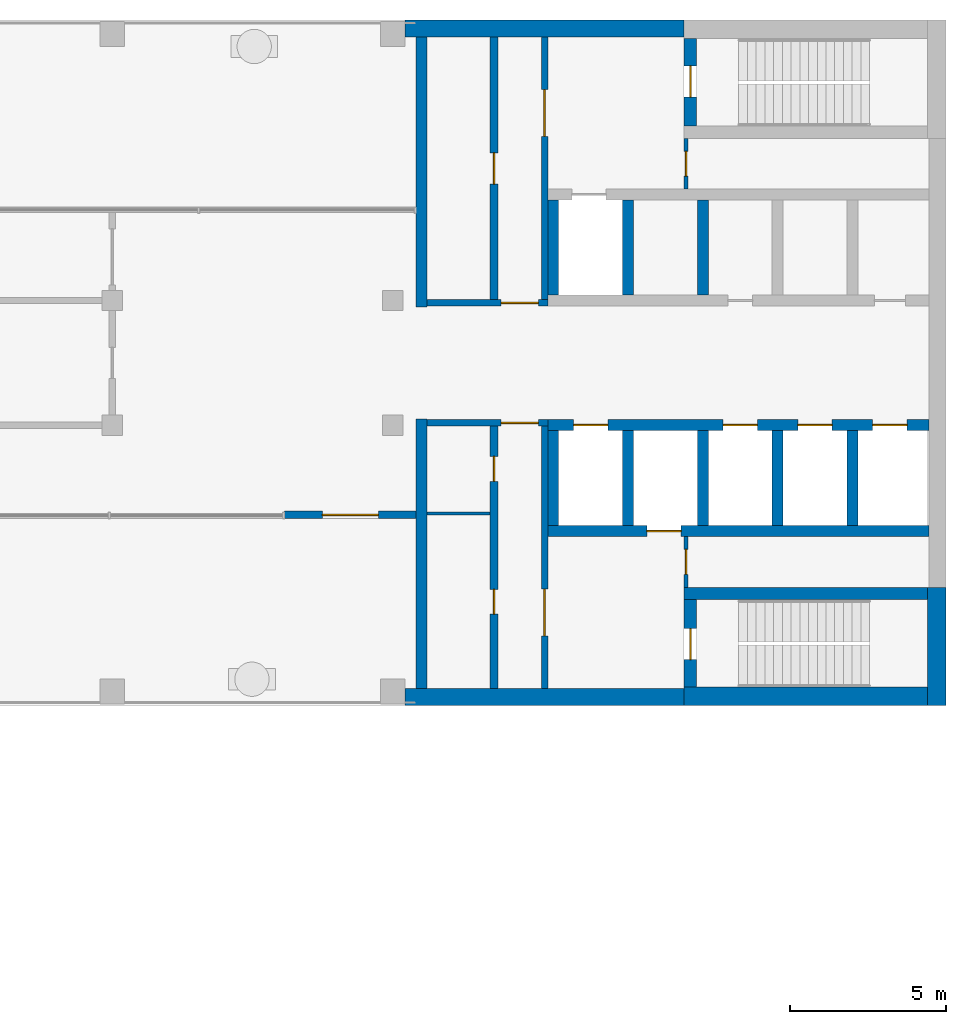
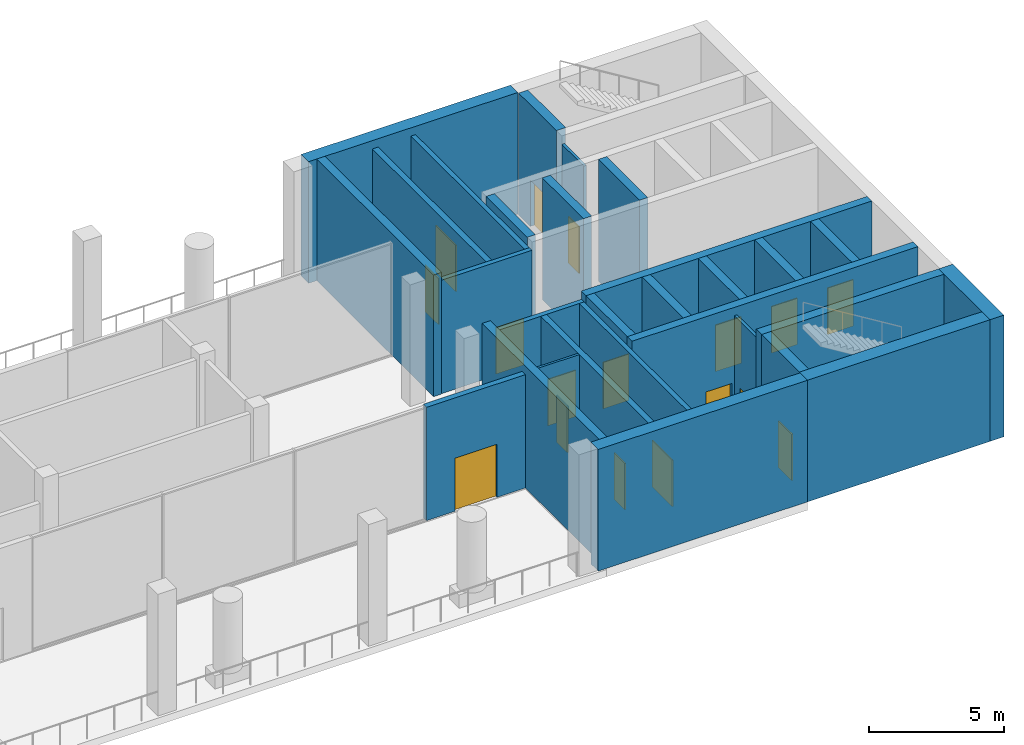
# One storey, part 10 of 17: 29 walls, 17 doors, 17 openings.
"""IFC4 building model written with IfcOpenShell, lengths in metres."""

from ifc_helpers import new_model, si_unit, direction, frame, frame_2d, origin, place, context, subcontext, project, spatial, rectangle, extrude, material, layer, layer_set, type_object, element, fill, save


model = new_model("IFC4")

# Units and contexts
model_context = context("Model", 3, precision=1e-05, world=origin(), true_north=direction((0.0, 1.0)))
body_context = subcontext(model_context, "Body", "Model", "MODEL_VIEW")
ifc_project = project(units=[si_unit("LENGTHUNIT", "METRE"), si_unit("AREAUNIT", "SQUARE_METRE"), si_unit("VOLUMEUNIT", "CUBIC_METRE"), si_unit("PLANEANGLEUNIT", "RADIAN"), si_unit("MASSUNIT", "GRAM", prefix="KILO")], contexts=[model_context])

# Site, building, storey
site_placement = place(None, origin())
site = spatial("IfcSite", under=ifc_project, at=site_placement, CompositionType="ELEMENT")
building_placement = place(site_placement, origin())
building = spatial("IfcBuilding", under=site, at=building_placement, Name="Skarvind Civic Tower", CompositionType="ELEMENT")
storey_placement = place(building_placement, frame((0.0, 0.0, 182.5)))
storey = spatial("IfcBuildingStorey", under=building, at=storey_placement, Name="L43", CompositionType="ELEMENT", Elevation=182.5)

# Wall, opening, door
ifc_material_1 = material(Name="Fire-rated masonry partition", Category="masonry")
ifc_layer_1 = layer(ifc_material_1, 0.199951171875)
ifc_layer_set_1 = layer_set([ifc_layer_1], Name="Core enclosure wall 200")
wall_type_1 = type_object("IfcWallType", Name="Core enclosure wall 200", PredefinedType="PARTITIONING", material=ifc_layer_set_1)
wall_1_placement = place(storey_placement, frame((95.22509765625, 126.074951171875, 0.0), z_axis=(0.0, 0.0, 1.0), x_axis=(-1.0, 0.0, 0.0)))
wall_1 = element("IfcWall", 1, at=wall_1_placement, inside=storey, type_object=wall_type_1, Name="Core wall C1", PredefinedType="PARTITIONING", context=body_context, shape_type="SweptSolid", body=[
    extrude(rectangle(XDim=3.875, YDim=0.199951171875, at=frame_2d((1.9375, 0.0))), origin(), (0.0, 0.0, 1.0), 5.125),
])
opening_1_placement = place(wall_1_placement, frame((0.300048828125, 0.0, 0.0)))
opening_1 = element("IfcOpeningElement", 2, at=opening_1_placement, cuts=wall_1, Name="Opening D-L43-C1-07", PredefinedType="OPENING", context=body_context, shape_type="SweptSolid", body=[
    extrude(rectangle(XDim=1.199951171875, YDim=2.10009765625, at=frame_2d((0.60009765625, 1.050048828125))), frame((0.0, 0.10986328125, 0.0), z_axis=(0.0, -1.0, 0.0), x_axis=(1.0, 0.0, 0.0)), (0.0, 0.0, 1.0), 0.219970703125),
])
ifc_material_2 = material(Name="Fire-rated steel door", Category="steel")
door_type_1 = type_object("IfcDoorType", Name="Core lobby door 1200", OperationType="NOTDEFINED", PredefinedType="DOOR", material=ifc_material_2)
door_1_placement = place(opening_1_placement, origin())
door_1 = element("IfcDoor", 3, at=door_1_placement, inside=storey, type_object=door_type_1, Name="Fire door", OperationType="DOUBLE_DOOR_SINGLE_SWING", OverallHeight=2.10009765625, OverallWidth=1.199951171875, PredefinedType="DOOR", context=body_context, shape_type="SweptSolid", body=[
    extrude(rectangle(XDim=1.199951171875, YDim=2.10009765625, at=frame_2d((0.60009765625, 1.050048828125))), frame((0.0, 0.02490234375, 0.0), z_axis=(0.0, -1.0, 0.0), x_axis=(1.0, 0.0, 0.0)), (0.0, 0.0, 1.0), 0.050048828125),
])
fill(opening_1, door_1)

wall_2_placement = place(storey_placement, frame((95.125, 117.550048828125, 0.0), z_axis=(0.0, 0.0, 1.0), x_axis=(0.0, 1.0, 0.0)))
wall_2 = element("IfcWall", 4, at=wall_2_placement, inside=storey, type_object=wall_type_1, Name="Core wall C1", PredefinedType="PARTITIONING", context=body_context, shape_type="SweptSolid", body=[
    extrude(rectangle(XDim=8.425048828125, YDim=0.199951171875, at=frame_2d((4.21240234375, 0.0))), origin(), (0.0, 0.0, 1.0), 5.125),
])
opening_2_placement = place(wall_2_placement, frame((1.6875, 0.0, 0.0)))
opening_2 = element("IfcOpeningElement", 5, at=opening_2_placement, cuts=wall_2, Name="Opening D-L43-C1-08", PredefinedType="OPENING", context=body_context, shape_type="SweptSolid", body=[
    extrude(rectangle(XDim=1.5, YDim=2.10009765625, at=frame_2d((0.75, 1.050048828125))), frame((0.0, 0.10986328125, 0.0), z_axis=(0.0, -1.0, 0.0), x_axis=(1.0, 0.0, 0.0)), (0.0, 0.0, 1.0), 0.219970703125),
])
door_type_2 = type_object("IfcDoorType", Name="Fire door 1500", OperationType="NOTDEFINED", PredefinedType="DOOR", material=ifc_material_2)
door_2_placement = place(opening_2_placement, origin())
door_2 = element("IfcDoor", 6, at=door_2_placement, inside=storey, type_object=door_type_2, Name="Fire door", OperationType="DOUBLE_DOOR_SINGLE_SWING", OverallHeight=2.10009765625, OverallWidth=1.5, PredefinedType="DOOR", context=body_context, shape_type="SweptSolid", body=[
    extrude(rectangle(XDim=1.5, YDim=2.10009765625, at=frame_2d((0.75, 1.050048828125))), frame((0.0, 0.02490234375, 0.0), z_axis=(0.0, -1.0, 0.0), x_axis=(1.0, 0.0, 0.0)), (0.0, 0.0, 1.0), 0.050048828125),
])
fill(opening_2, door_2)

wall_3_placement = place(storey_placement, frame((91.35009765625, 129.925048828125, 0.0), z_axis=(0.0, 0.0, 1.0), x_axis=(1.0, 0.0, 0.0)))
wall_3 = element("IfcWall", 7, at=wall_3_placement, inside=storey, type_object=wall_type_1, Name="Core wall C1", PredefinedType="PARTITIONING", context=body_context, shape_type="SweptSolid", body=[
    extrude(rectangle(XDim=3.875, YDim=0.199951171875, at=frame_2d((1.9375, 0.0))), origin(), (0.0, 0.0, 1.0), 5.125),
])
opening_3_placement = place(wall_3_placement, frame((2.375, 0.0, 0.0)))
opening_3 = element("IfcOpeningElement", 8, at=opening_3_placement, cuts=wall_3, Name="Opening D-L43-C1-13", PredefinedType="OPENING", context=body_context, shape_type="SweptSolid", body=[
    extrude(rectangle(XDim=1.199951171875, YDim=2.10009765625, at=frame_2d((0.60009765625, 1.050048828125))), frame((0.0, 0.10986328125, 0.0), z_axis=(0.0, -1.0, 0.0), x_axis=(1.0, 0.0, 0.0)), (0.0, 0.0, 1.0), 0.219970703125),
])
door_3_placement = place(opening_3_placement, origin())
door_3 = element("IfcDoor", 9, at=door_3_placement, inside=storey, type_object=door_type_1, Name="Fire door", OperationType="DOUBLE_DOOR_SINGLE_SWING", OverallHeight=2.10009765625, OverallWidth=1.199951171875, PredefinedType="DOOR", context=body_context, shape_type="SweptSolid", body=[
    extrude(rectangle(XDim=1.199951171875, YDim=2.10009765625, at=frame_2d((0.60009765625, 1.050048828125))), frame((0.0, 0.02490234375, 0.0), z_axis=(0.0, -1.0, 0.0), x_axis=(1.0, 0.0, 0.0)), (0.0, 0.0, 1.0), 0.050048828125),
])
fill(opening_3, door_3)

wall_4_placement = place(storey_placement, frame((95.125, 130.02490234375, 0.0), z_axis=(0.0, 0.0, 1.0), x_axis=(0.0, 1.0, 0.0)))
wall_4 = element("IfcWall", 10, at=wall_4_placement, inside=storey, type_object=wall_type_1, Name="Core wall C1", PredefinedType="PARTITIONING", context=body_context, shape_type="SweptSolid", body=[
    extrude(rectangle(XDim=8.425048828125, YDim=0.199951171875, at=frame_2d((4.21240234375, 0.0))), origin(), (0.0, 0.0, 1.0), 5.125),
])
opening_4_placement = place(wall_4_placement, frame((5.237548828125, 0.0, 0.0)))
opening_4 = element("IfcOpeningElement", 11, at=opening_4_placement, cuts=wall_4, Name="Opening D-L43-C1-14", PredefinedType="OPENING", context=body_context, shape_type="SweptSolid", body=[
    extrude(rectangle(XDim=1.5, YDim=2.10009765625, at=frame_2d((0.75, 1.050048828125))), frame((0.0, 0.10986328125, 0.0), z_axis=(0.0, -1.0, 0.0), x_axis=(1.0, 0.0, 0.0)), (0.0, 0.0, 1.0), 0.219970703125),
])
door_4_placement = place(opening_4_placement, origin())
door_4 = element("IfcDoor", 12, at=door_4_placement, inside=storey, type_object=door_type_2, Name="Fire door", OperationType="DOUBLE_DOOR_SINGLE_SWING", OverallHeight=2.10009765625, OverallWidth=1.5, PredefinedType="DOOR", context=body_context, shape_type="SweptSolid", body=[
    extrude(rectangle(XDim=1.5, YDim=2.10009765625, at=frame_2d((0.75, 1.050048828125))), frame((0.0, 0.02490234375, 0.0), z_axis=(0.0, -1.0, 0.0), x_axis=(1.0, 0.0, 0.0)), (0.0, 0.0, 1.0), 0.050048828125),
])
fill(opening_4, door_4)

# Walls
ifc_material_3 = material(Name="Fire-rated plasterboard partition")
ifc_layer_2 = layer(ifc_material_3, 0.10009765625)
ifc_layer_set_2 = layer_set([ifc_layer_2], Name="Core partition wall 100")
wall_type_2 = type_object("IfcWallType", Name="Core partition wall 100", PredefinedType="PARTITIONING", material=ifc_layer_set_2)
wall_5_placement = place(storey_placement, frame((93.375, 123.169921875, 0.0), z_axis=(0.0, 0.0, 1.0), x_axis=(-1.0, 0.0, 0.0)))
element("IfcWall", 13, at=wall_5_placement, inside=storey, type_object=wall_type_2, Name="Core wall C1", PredefinedType="PARTITIONING", context=body_context, shape_type="SweptSolid", body=[
    extrude(rectangle(XDim=2.02490234375, YDim=0.10009765625, at=frame_2d((1.012451171875, 0.0))), origin(), (0.0, 0.0, 1.0), 5.125),
])
ifc_material_4 = material(Name="Concrete C60", Category="concrete")
ifc_layer_3 = layer(ifc_material_4, 0.35009765625)
ifc_layer_set_3 = layer_set([ifc_layer_3], Name="Core wall 350 C60")
wall_type_3 = type_object("IfcWallType", Name="Core wall 350 C60", PredefinedType="SHEAR", material=ifc_layer_set_3)
for number, where, z_axis, x_axis, name in (
    (14, (100.199951171875, 133.22509765625, 0.0), (0.0, 0.0, 1.0), (0.0, -1.0, 0.0), "Core wall C1 south lift row division 3 L43"),
    (15, (97.800048828125, 133.22509765625, 0.0), (0.0, 0.0, 1.0), (0.0, -1.0, 0.0), "Core wall C1 south lift row division 4 L43"),
    (16, (95.39990234375, 133.22509765625, 0.0), (0.0, 0.0, 1.0), (0.0, -1.0, 0.0), "Core wall C1 south lift row division 5 L43"),
):
    element("IfcWall", number, at=place(storey_placement, frame(where, z_axis=z_axis, x_axis=x_axis)), inside=storey, type_object=wall_type_3, Name=name, PredefinedType="SHEAR", context=body_context, shape_type="SweptSolid", body=[
        extrude(rectangle(XDim=3.050048828125, YDim=0.35009765625, at=frame_2d((1.52490234375, 0.0))), origin(), (0.0, 0.0, 1.0), 5.5),
    ])

# Wall, openings, doors
wall_6_placement = place(storey_placement, frame((107.449951171875, 126.0, 0.0), z_axis=(0.0, 0.0, 1.0), x_axis=(-1.0, 0.0, 0.0)))
wall_6 = element("IfcWall", 17, at=wall_6_placement, inside=storey, type_object=wall_type_3, Name="Core wall C1 north lift row front L43", PredefinedType="SHEAR", context=body_context, shape_type="SweptSolid", body=[
    extrude(rectangle(XDim=12.224853515625, YDim=0.35009765625, at=frame_2d((6.1123046875, 0.0))), origin(), (0.0, 0.0, 1.0), 5.5),
])
opening_5_placement = place(wall_6_placement, frame((0.699951171875, 0.0, 0.0)))
opening_5 = element("IfcOpeningElement", 18, at=opening_5_placement, cuts=wall_6, Name="Opening LD45101", PredefinedType="OPENING", context=body_context, shape_type="SweptSolid", body=[
    extrude(rectangle(XDim=1.10009765625, YDim=2.10009765625, at=frame_2d((0.550048828125, 1.050048828125))), frame((0.0, 0.18505859375, 0.0), z_axis=(0.0, -1.0, 0.0), x_axis=(1.0, 0.0, 0.0)), (0.0, 0.0, 1.0), 0.3701171875),
])
opening_6_placement = place(wall_6_placement, frame((3.10009765625, 0.0, 0.0)))
opening_6 = element("IfcOpeningElement", 19, at=opening_6_placement, cuts=wall_6, Name="Opening LD45102", PredefinedType="OPENING", context=body_context, shape_type="SweptSolid", body=[
    extrude(rectangle(XDim=1.10009765625, YDim=2.10009765625, at=frame_2d((0.550048828125, 1.050048828125))), frame((0.0, 0.18505859375, 0.0), z_axis=(0.0, -1.0, 0.0), x_axis=(1.0, 0.0, 0.0)), (0.0, 0.0, 1.0), 0.3701171875),
])
opening_7_placement = place(wall_6_placement, frame((5.5, 0.0, 0.0)))
opening_7 = element("IfcOpeningElement", 20, at=opening_7_placement, cuts=wall_6, Name="Opening LD45103", PredefinedType="OPENING", context=body_context, shape_type="SweptSolid", body=[
    extrude(rectangle(XDim=1.10009765625, YDim=2.10009765625, at=frame_2d((0.550048828125, 1.050048828125))), frame((0.0, 0.18505859375, 0.0), z_axis=(0.0, -1.0, 0.0), x_axis=(1.0, 0.0, 0.0)), (0.0, 0.0, 1.0), 0.3701171875),
])
opening_8_placement = place(wall_6_placement, frame((10.300048828125, 0.0, 0.0)))
opening_8 = element("IfcOpeningElement", 21, at=opening_8_placement, cuts=wall_6, Name="Opening LD45105", PredefinedType="OPENING", context=body_context, shape_type="SweptSolid", body=[
    extrude(rectangle(XDim=1.10009765625, YDim=2.10009765625, at=frame_2d((0.550048828125, 1.050048828125))), frame((0.0, 0.18505859375, 0.0), z_axis=(0.0, -1.0, 0.0), x_axis=(1.0, 0.0, 0.0)), (0.0, 0.0, 1.0), 0.3701171875),
])
ifc_material_5 = material(Name="Stainless steel landing door", Category="steel")
door_type_3 = type_object("IfcDoorType", Name="Lift landing door 1100", OperationType="DOUBLE_DOOR_SLIDING", PredefinedType="DOOR", material=ifc_material_5)
door_5_placement = place(opening_5_placement, origin())
door_5 = element("IfcDoor", 22, at=door_5_placement, inside=storey, type_object=door_type_3, Name="Lift landing door", OperationType="DOUBLE_DOOR_SLIDING", OverallHeight=2.10009765625, OverallWidth=1.10009765625, PredefinedType="DOOR", context=body_context, shape_type="SweptSolid", body=[
    extrude(rectangle(XDim=1.10009765625, YDim=2.10009765625, at=frame_2d((0.550048828125, 1.050048828125))), frame((0.0, 0.02490234375, 0.0), z_axis=(0.0, -1.0, 0.0), x_axis=(1.0, 0.0, 0.0)), (0.0, 0.0, 1.0), 0.050048828125),
])
fill(opening_5, door_5)
door_6_placement = place(opening_6_placement, origin())
door_6 = element("IfcDoor", 23, at=door_6_placement, inside=storey, type_object=door_type_3, Name="Lift landing door", OperationType="DOUBLE_DOOR_SLIDING", OverallHeight=2.10009765625, OverallWidth=1.10009765625, PredefinedType="DOOR", context=body_context, shape_type="SweptSolid", body=[
    extrude(rectangle(XDim=1.10009765625, YDim=2.10009765625, at=frame_2d((0.550048828125, 1.050048828125))), frame((0.0, 0.02490234375, 0.0), z_axis=(0.0, -1.0, 0.0), x_axis=(1.0, 0.0, 0.0)), (0.0, 0.0, 1.0), 0.050048828125),
])
fill(opening_6, door_6)
door_7_placement = place(opening_7_placement, origin())
door_7 = element("IfcDoor", 24, at=door_7_placement, inside=storey, type_object=door_type_3, Name="Lift landing door", OperationType="DOUBLE_DOOR_SLIDING", OverallHeight=2.10009765625, OverallWidth=1.10009765625, PredefinedType="DOOR", context=body_context, shape_type="SweptSolid", body=[
    extrude(rectangle(XDim=1.10009765625, YDim=2.10009765625, at=frame_2d((0.550048828125, 1.050048828125))), frame((0.0, 0.02490234375, 0.0), z_axis=(0.0, -1.0, 0.0), x_axis=(1.0, 0.0, 0.0)), (0.0, 0.0, 1.0), 0.050048828125),
])
fill(opening_7, door_7)
door_8_placement = place(opening_8_placement, origin())
door_8 = element("IfcDoor", 25, at=door_8_placement, inside=storey, type_object=door_type_3, Name="Lift landing door", OperationType="DOUBLE_DOOR_SLIDING", OverallHeight=2.10009765625, OverallWidth=1.10009765625, PredefinedType="DOOR", context=body_context, shape_type="SweptSolid", body=[
    extrude(rectangle(XDim=1.10009765625, YDim=2.10009765625, at=frame_2d((0.550048828125, 1.050048828125))), frame((0.0, 0.02490234375, 0.0), z_axis=(0.0, -1.0, 0.0), x_axis=(1.0, 0.0, 0.0)), (0.0, 0.0, 1.0), 0.050048828125),
])
fill(opening_8, door_8)

# Wall, opening, door
wall_7_placement = place(storey_placement, frame((107.449951171875, 122.60009765625, 0.0), z_axis=(0.0, 0.0, 1.0), x_axis=(-1.0, 0.0, 0.0)))
wall_7 = element("IfcWall", 26, at=wall_7_placement, inside=storey, type_object=wall_type_3, Name="Core wall C1 north lift row back L43", PredefinedType="SHEAR", context=body_context, shape_type="SweptSolid", body=[
    extrude(rectangle(XDim=12.224853515625, YDim=0.35009765625, at=frame_2d((6.1123046875, 0.0))), origin(), (0.0, 0.0, 1.0), 5.5),
])
opening_9_placement = place(wall_7_placement, frame((7.949951171875, 0.0, 0.0)))
opening_9 = element("IfcOpeningElement", 27, at=opening_9_placement, cuts=wall_7, Name="Opening LD45104", PredefinedType="OPENING", context=body_context, shape_type="SweptSolid", body=[
    extrude(rectangle(XDim=1.10009765625, YDim=2.10009765625, at=frame_2d((0.550048828125, 1.050048828125))), frame((0.0, 0.18505859375, 0.0), z_axis=(0.0, -1.0, 0.0), x_axis=(1.0, 0.0, 0.0)), (0.0, 0.0, 1.0), 0.3701171875),
])
door_9_placement = place(opening_9_placement, origin())
door_9 = element("IfcDoor", 28, at=door_9_placement, inside=storey, type_object=door_type_3, Name="Lift landing door", OperationType="DOUBLE_DOOR_SLIDING", OverallHeight=2.10009765625, OverallWidth=1.10009765625, PredefinedType="DOOR", context=body_context, shape_type="SweptSolid", body=[
    extrude(rectangle(XDim=1.10009765625, YDim=2.10009765625, at=frame_2d((0.550048828125, 1.050048828125))), frame((0.0, 0.02490234375, 0.0), z_axis=(0.0, -1.0, 0.0), x_axis=(1.0, 0.0, 0.0)), (0.0, 0.0, 1.0), 0.050048828125),
])
fill(opening_9, door_9)

# Walls
for number, where, z_axis, x_axis, name in (
    (29, (105.0, 125.824951171875, 0.0), (0.0, 0.0, 1.0), (0.0, -1.0, 0.0), "Core wall C1 north lift row division 1 L43"),
    (30, (102.60009765625, 125.824951171875, 0.0), (0.0, 0.0, 1.0), (0.0, -1.0, 0.0), "Core wall C1 north lift row division 2 L43"),
    (31, (100.199951171875, 125.824951171875, 0.0), (0.0, 0.0, 1.0), (0.0, -1.0, 0.0), "Core wall C1 north lift row division 3 L43"),
    (32, (97.800048828125, 125.824951171875, 0.0), (0.0, 0.0, 1.0), (0.0, -1.0, 0.0), "Core wall C1 north lift row division 4 L43"),
    (33, (95.39990234375, 125.824951171875, 0.0), (0.0, 0.0, 1.0), (0.0, -1.0, 0.0), "Core wall C1 north lift row division 5 L43"),
):
    element("IfcWall", number, at=place(storey_placement, frame(where, z_axis=z_axis, x_axis=x_axis)), inside=storey, type_object=wall_type_3, Name=name, PredefinedType="SHEAR", context=body_context, shape_type="SweptSolid", body=[
        extrude(rectangle(XDim=3.050048828125, YDim=0.35009765625, at=frame_2d((1.52490234375, 0.0))), origin(), (0.0, 0.0, 1.0), 5.5),
    ])
for number, where, z_axis, x_axis, name in (
    (34, (91.175048828125, 138.449951171875, 0.0), (0.0, 0.0, 1.0), (0.0, -1.0, 0.0), "Core wall C1 south inner face L43"),
    (35, (91.175048828125, 126.199951171875, 0.0), (0.0, 0.0, 1.0), (0.0, -1.0, 0.0), "Core wall C1 north inner face L43"),
):
    element("IfcWall", number, at=place(storey_placement, frame(where, z_axis=z_axis, x_axis=x_axis)), inside=storey, type_object=wall_type_3, Name=name, PredefinedType="SHEAR", context=body_context, shape_type="SweptSolid", body=[
        extrude(rectangle(XDim=8.64990234375, YDim=0.35009765625, at=frame_2d((4.324951171875, 0.0))), origin(), (0.0, 0.0, 1.0), 5.5),
    ])

# Wall, opening, door
ifc_layer_4 = layer(ifc_material_4, 0.39990234375)
ifc_layer_set_4 = layer_set([ifc_layer_4], Name="Core wall 400 C60")
wall_type_4 = type_object("IfcWallType", Name="Core wall 400 C60", PredefinedType="SHEAR", material=ifc_layer_set_4)
wall_8_placement = place(storey_placement, frame((99.800048828125, 138.39990234375, 0.0), z_axis=(0.0, 0.0, 1.0), x_axis=(0.0, -1.0, 0.0)))
wall_8 = element("IfcWall", 36, at=wall_8_placement, inside=storey, type_object=wall_type_4, Name="Core wall C1 south stair end L43", PredefinedType="SHEAR", context=body_context, shape_type="SweptSolid", body=[
    extrude(rectangle(XDim=2.7998046875, YDim=0.39990234375, at=frame_2d((1.39990234375, 0.0))), origin(), (0.0, 0.0, 1.0), 5.5),
])
opening_10_placement = place(wall_8_placement, frame((0.875, 0.0, 0.0)))
opening_10 = element("IfcOpeningElement", 37, at=opening_10_placement, cuts=wall_8, Name="Opening D-L43-C1-15", PredefinedType="OPENING", context=body_context, shape_type="SweptSolid", body=[
    extrude(rectangle(XDim=1.0, YDim=2.10009765625, at=frame_2d((0.5, 1.050048828125))), frame((0.0, 0.2099609375, 0.0), z_axis=(0.0, -1.0, 0.0), x_axis=(1.0, 0.0, 0.0)), (0.0, 0.0, 1.0), 0.419921875),
])
door_type_4 = type_object("IfcDoorType", Name="Fire door 1000", OperationType="NOTDEFINED", PredefinedType="DOOR", material=ifc_material_2)
door_10_placement = place(opening_10_placement, origin())
door_10 = element("IfcDoor", 38, at=door_10_placement, inside=storey, type_object=door_type_4, Name="Fire door", OperationType="SINGLE_SWING_RIGHT", OverallHeight=2.10009765625, OverallWidth=1.0, PredefinedType="DOOR", context=body_context, shape_type="SweptSolid", body=[
    extrude(rectangle(XDim=1.0, YDim=2.10009765625, at=frame_2d((0.5, 1.050048828125))), frame((0.0, 0.02490234375, 0.0), z_axis=(0.0, -1.0, 0.0), x_axis=(1.0, 0.0, 0.0)), (0.0, 0.0, 1.0), 0.050048828125),
])
fill(opening_10, door_10)

# Wall
wall_9_placement = place(storey_placement, frame((107.39990234375, 120.60009765625, 0.0), z_axis=(0.0, 0.0, 1.0), x_axis=(-1.0, 0.0, 0.0)))
element("IfcWall", 39, at=wall_9_placement, inside=storey, type_object=wall_type_4, Name="Core wall C1 north stair inner L43", PredefinedType="SHEAR", context=body_context, shape_type="SweptSolid", body=[
    extrude(rectangle(XDim=7.7998046875, YDim=0.39990234375, at=frame_2d((3.89990234375, 0.0))), origin(), (0.0, 0.0, 1.0), 5.5),
])

# Wall, opening, door
wall_10_placement = place(storey_placement, frame((99.800048828125, 120.39990234375, 0.0), z_axis=(0.0, 0.0, 1.0), x_axis=(0.0, -1.0, 0.0)))
wall_10 = element("IfcWall", 40, at=wall_10_placement, inside=storey, type_object=wall_type_4, Name="Core wall C1 north stair end L43", PredefinedType="SHEAR", context=body_context, shape_type="SweptSolid", body=[
    extrude(rectangle(XDim=2.7998046875, YDim=0.39990234375, at=frame_2d((1.39990234375, 0.0))), origin(), (0.0, 0.0, 1.0), 5.5),
])
opening_11_placement = place(wall_10_placement, frame((0.925048828125, 0.0, 0.0)))
opening_11 = element("IfcOpeningElement", 41, at=opening_11_placement, cuts=wall_10, Name="Opening D-L43-C1-09", PredefinedType="OPENING", context=body_context, shape_type="SweptSolid", body=[
    extrude(rectangle(XDim=1.0, YDim=2.10009765625, at=frame_2d((0.5, 1.050048828125))), frame((0.0, 0.2099609375, 0.0), z_axis=(0.0, -1.0, 0.0), x_axis=(1.0, 0.0, 0.0)), (0.0, 0.0, 1.0), 0.419921875),
])
door_11_placement = place(opening_11_placement, origin())
door_11 = element("IfcDoor", 42, at=door_11_placement, inside=storey, type_object=door_type_4, Name="Fire door", OperationType="SINGLE_SWING_LEFT", OverallHeight=2.10009765625, OverallWidth=1.0, PredefinedType="DOOR", context=body_context, shape_type="SweptSolid", body=[
    extrude(rectangle(XDim=1.0, YDim=2.10009765625, at=frame_2d((0.5, 1.050048828125))), frame((0.0, 0.02490234375, 0.0), z_axis=(0.0, -1.0, 0.0), x_axis=(1.0, 0.0, 0.0)), (0.0, 0.0, 1.0), 0.050048828125),
])
fill(opening_11, door_11)

# Walls
ifc_layer_5 = layer(ifc_material_4, 0.550048828125)
ifc_layer_set_5 = layer_set([ifc_layer_5], Name="Core wall 550 C60")
wall_type_5 = type_object("IfcWallType", Name="Core wall 550 C60", PredefinedType="SHEAR", material=ifc_layer_set_5)
for number, where, z_axis, x_axis, name in (
    (43, (99.60009765625, 138.72509765625, 0.0), (0.0, 0.0, 1.0), (-1.0, 0.0, 0.0), "Core wall C1 south side L43"),
    (44, (99.60009765625, 117.27490234375, 0.0), (0.0, 0.0, 1.0), (-1.0, 0.0, 0.0), "Core wall C1 north side L43"),
):
    element("IfcWall", number, at=place(storey_placement, frame(where, z_axis=z_axis, x_axis=x_axis)), inside=storey, type_object=wall_type_5, Name=name, PredefinedType="SHEAR", context=body_context, shape_type="SweptSolid", body=[
        extrude(rectangle(XDim=8.9501953125, YDim=0.550048828125, at=frame_2d((4.47509765625, 0.0))), origin(), (0.0, 0.0, 1.0), 5.5),
    ])
ifc_layer_6 = layer(ifc_material_4, 0.60009765625)
ifc_layer_set_6 = layer_set([ifc_layer_6], Name="Core wall 600 C60")
wall_type_6 = type_object("IfcWallType", Name="Core wall 600 C60", PredefinedType="SHEAR", material=ifc_layer_set_6)
wall_11_placement = place(storey_placement, frame((107.699951171875, 120.800048828125, 0.0), z_axis=(0.0, 0.0, 1.0), x_axis=(0.0, -1.0, 0.0)))
element("IfcWall", 45, at=wall_11_placement, inside=storey, type_object=wall_type_6, Name="Core wall C1 tip at the north stair L43", PredefinedType="SHEAR", context=body_context, shape_type="SweptSolid", body=[
    extrude(rectangle(XDim=3.800048828125, YDim=0.60009765625, at=frame_2d((1.89990234375, 0.0))), origin(), (0.0, 0.0, 1.0), 5.5),
])
wall_12_placement = place(storey_placement, frame((107.39990234375, 117.300048828125, 0.0), z_axis=(0.0, 0.0, 1.0), x_axis=(-1.0, 0.0, 0.0)))
element("IfcWall", 46, at=wall_12_placement, inside=storey, type_object=wall_type_6, Name="Core wall C1 north side at the stair L43", PredefinedType="SHEAR", context=body_context, shape_type="SweptSolid", body=[
    extrude(rectangle(XDim=7.7998046875, YDim=0.60009765625, at=frame_2d((3.89990234375, 0.0))), origin(), (0.0, 0.0, 1.0), 5.5),
])

# Wall, opening, door
ifc_layer_7 = layer(ifc_material_1, 0.125)
ifc_layer_set_7 = layer_set([ifc_layer_7], Name="Riser wall 125")
wall_type_7 = type_object("IfcWallType", Name="Riser wall 125", PredefinedType="PARTITIONING", material=ifc_layer_set_7)
wall_13_placement = place(storey_placement, frame((99.66259765625, 120.800048828125, 0.0), z_axis=(0.0, 0.0, 1.0), x_axis=(0.0, 1.0, 0.0)))
wall_13 = element("IfcWall", 47, at=wall_13_placement, inside=storey, type_object=wall_type_7, Name="Core wall C1", PredefinedType="PARTITIONING", context=body_context, shape_type="SweptSolid", body=[
    extrude(rectangle(XDim=1.625, YDim=0.125, at=frame_2d((0.8125, 0.0))), origin(), (0.0, 0.0, 1.0), 5.125),
])
opening_12_placement = place(wall_13_placement, frame((0.41259765625, 0.0, 0.0)))
opening_12 = element("IfcOpeningElement", 48, at=opening_12_placement, cuts=wall_13, Name="Opening D-L43-C1-10", PredefinedType="OPENING", context=body_context, shape_type="SweptSolid", body=[
    extrude(rectangle(XDim=0.800048828125, YDim=2.10009765625, at=frame_2d((0.39990234375, 1.050048828125))), frame((0.0, 0.072509765625, 0.0), z_axis=(0.0, -1.0, 0.0), x_axis=(1.0, 0.0, 0.0)), (0.0, 0.0, 1.0), 0.14501953125),
])
door_type_5 = type_object("IfcDoorType", Name="Core riser door 800", OperationType="NOTDEFINED", PredefinedType="DOOR", material=ifc_material_2)
door_12_placement = place(opening_12_placement, origin())
door_12 = element("IfcDoor", 49, at=door_12_placement, inside=storey, type_object=door_type_5, Name="Riser door", OperationType="SINGLE_SWING_RIGHT", OverallHeight=2.10009765625, OverallWidth=0.800048828125, PredefinedType="DOOR", context=body_context, shape_type="SweptSolid", body=[
    extrude(rectangle(XDim=0.800048828125, YDim=2.10009765625, at=frame_2d((0.39990234375, 1.050048828125))), frame((0.0, 0.02490234375, 0.0), z_axis=(0.0, -1.0, 0.0), x_axis=(1.0, 0.0, 0.0)), (0.0, 0.0, 1.0), 0.050048828125),
])
fill(opening_12, door_12)

wall_14_placement = place(storey_placement, frame((99.66259765625, 133.574951171875, 0.0), z_axis=(0.0, 0.0, 1.0), x_axis=(0.0, 1.0, 0.0)))
wall_14 = element("IfcWall", 50, at=wall_14_placement, inside=storey, type_object=wall_type_7, Name="Core wall C1", PredefinedType="PARTITIONING", context=body_context, shape_type="SweptSolid", body=[
    extrude(rectangle(XDim=1.625, YDim=0.125, at=frame_2d((0.8125, 0.0))), origin(), (0.0, 0.0, 1.0), 5.125),
])
opening_13_placement = place(wall_14_placement, frame((0.41259765625, 0.0, 0.0)))
opening_13 = element("IfcOpeningElement", 51, at=opening_13_placement, cuts=wall_14, Name="Opening D-L43-C1-16", PredefinedType="OPENING", context=body_context, shape_type="SweptSolid", body=[
    extrude(rectangle(XDim=0.800048828125, YDim=2.10009765625, at=frame_2d((0.39990234375, 1.050048828125))), frame((0.0, 0.072509765625, 0.0), z_axis=(0.0, -1.0, 0.0), x_axis=(1.0, 0.0, 0.0)), (0.0, 0.0, 1.0), 0.14501953125),
])
door_13_placement = place(opening_13_placement, origin())
door_13 = element("IfcDoor", 52, at=door_13_placement, inside=storey, type_object=door_type_5, Name="Riser door", OperationType="SINGLE_SWING_LEFT", OverallHeight=2.10009765625, OverallWidth=0.800048828125, PredefinedType="DOOR", context=body_context, shape_type="SweptSolid", body=[
    extrude(rectangle(XDim=0.800048828125, YDim=2.10009765625, at=frame_2d((0.39990234375, 1.050048828125))), frame((0.0, 0.02490234375, 0.0), z_axis=(0.0, -1.0, 0.0), x_axis=(1.0, 0.0, 0.0)), (0.0, 0.0, 1.0), 0.050048828125),
])
fill(opening_13, door_13)

# Wall, openings, doors
ifc_layer_8 = layer(ifc_material_1, 0.25)
ifc_layer_set_8 = layer_set([ifc_layer_8], Name="Service block wall 250")
wall_type_8 = type_object("IfcWallType", Name="Service block wall 250", PredefinedType="PARTITIONING", material=ifc_layer_set_8)
wall_15_placement = place(storey_placement, frame((93.5, 117.550048828125, 0.0), z_axis=(0.0, 0.0, 1.0), x_axis=(0.0, 1.0, 0.0)))
wall_15 = element("IfcWall", 53, at=wall_15_placement, inside=storey, type_object=wall_type_8, Name="Core wall C1", PredefinedType="PARTITIONING", context=body_context, shape_type="SweptSolid", body=[
    extrude(rectangle(XDim=8.425048828125, YDim=0.25, at=frame_2d((4.21240234375, 0.0))), origin(), (0.0, 0.0, 1.0), 5.125),
])
opening_14_placement = place(wall_15_placement, frame((6.6474609375, 0.0, 0.0)))
opening_14 = element("IfcOpeningElement", 54, at=opening_14_placement, cuts=wall_15, Name="Opening D-L43-C1-11", PredefinedType="OPENING", context=body_context, shape_type="SweptSolid", body=[
    extrude(rectangle(XDim=0.800048828125, YDim=2.10009765625, at=frame_2d((0.39990234375, 1.050048828125))), frame((0.0, 0.135009765625, 0.0), z_axis=(0.0, -1.0, 0.0), x_axis=(1.0, 0.0, 0.0)), (0.0, 0.0, 1.0), 0.27001953125),
])
opening_15_placement = place(wall_15_placement, frame((2.385009765625, 0.0, 0.0)))
opening_15 = element("IfcOpeningElement", 55, at=opening_15_placement, cuts=wall_15, Name="Opening D-L43-C1-12", PredefinedType="OPENING", context=body_context, shape_type="SweptSolid", body=[
    extrude(rectangle(XDim=0.800048828125, YDim=2.10009765625, at=frame_2d((0.39990234375, 1.050048828125))), frame((0.0, 0.135009765625, 0.0), z_axis=(0.0, -1.0, 0.0), x_axis=(1.0, 0.0, 0.0)), (0.0, 0.0, 1.0), 0.27001953125),
])
door_14_placement = place(opening_14_placement, origin())
door_14 = element("IfcDoor", 56, at=door_14_placement, inside=storey, type_object=door_type_5, Name="Riser door", OperationType="SINGLE_SWING_LEFT", OverallHeight=2.10009765625, OverallWidth=0.800048828125, PredefinedType="DOOR", context=body_context, shape_type="SweptSolid", body=[
    extrude(rectangle(XDim=0.800048828125, YDim=2.10009765625, at=frame_2d((0.39990234375, 1.050048828125))), frame((0.0, 0.02490234375, 0.0), z_axis=(0.0, -1.0, 0.0), x_axis=(1.0, 0.0, 0.0)), (0.0, 0.0, 1.0), 0.050048828125),
])
fill(opening_14, door_14)
door_15_placement = place(opening_15_placement, origin())
door_15 = element("IfcDoor", 57, at=door_15_placement, inside=storey, type_object=door_type_5, Name="Riser door", OperationType="SINGLE_SWING_RIGHT", OverallHeight=2.10009765625, OverallWidth=0.800048828125, PredefinedType="DOOR", context=body_context, shape_type="SweptSolid", body=[
    extrude(rectangle(XDim=0.800048828125, YDim=2.10009765625, at=frame_2d((0.39990234375, 1.050048828125))), frame((0.0, 0.02490234375, 0.0), z_axis=(0.0, -1.0, 0.0), x_axis=(1.0, 0.0, 0.0)), (0.0, 0.0, 1.0), 0.050048828125),
])
fill(opening_15, door_15)

# Wall, opening, door
wall_16_placement = place(storey_placement, frame((93.5, 130.02490234375, 0.0), z_axis=(0.0, 0.0, 1.0), x_axis=(0.0, 1.0, 0.0)))
wall_16 = element("IfcWall", 58, at=wall_16_placement, inside=storey, type_object=wall_type_8, Name="Core wall C1", PredefinedType="PARTITIONING", context=body_context, shape_type="SweptSolid", body=[
    extrude(rectangle(XDim=8.425048828125, YDim=0.25, at=frame_2d((4.21240234375, 0.0))), origin(), (0.0, 0.0, 1.0), 5.125),
])
opening_16_placement = place(wall_16_placement, frame((3.71240234375, 0.0, 0.0)))
opening_16 = element("IfcOpeningElement", 59, at=opening_16_placement, cuts=wall_16, Name="Opening D-L43-C1-17", PredefinedType="OPENING", context=body_context, shape_type="SweptSolid", body=[
    extrude(rectangle(XDim=1.0, YDim=2.10009765625, at=frame_2d((0.5, 1.050048828125))), frame((0.0, 0.135009765625, 0.0), z_axis=(0.0, -1.0, 0.0), x_axis=(1.0, 0.0, 0.0)), (0.0, 0.0, 1.0), 0.27001953125),
])
door_16_placement = place(opening_16_placement, origin())
door_16 = element("IfcDoor", 60, at=door_16_placement, inside=storey, type_object=door_type_4, Name="Fire door", OperationType="SINGLE_SWING_RIGHT", OverallHeight=2.10009765625, OverallWidth=1.0, PredefinedType="DOOR", context=body_context, shape_type="SweptSolid", body=[
    extrude(rectangle(XDim=1.0, YDim=2.10009765625, at=frame_2d((0.5, 1.050048828125))), frame((0.0, 0.02490234375, 0.0), z_axis=(0.0, -1.0, 0.0), x_axis=(1.0, 0.0, 0.0)), (0.0, 0.0, 1.0), 0.050048828125),
])
fill(opening_16, door_16)

ifc_material_6 = material(Name="Limestone masonry cladding on insulated backing", Category="masonry")
ifc_layer_9 = layer(ifc_material_6, 0.239990234375)
ifc_layer_set_9 = layer_set([ifc_layer_9], Name="WX4 STONE DOOR PIER WALL 240")
wall_type_9 = type_object("IfcWallType", Name="WX4 STONE DOOR PIER WALL 240", PredefinedType="SOLIDWALL", material=ifc_layer_set_9)
wall_17_placement = place(storey_placement, frame((91.0, 123.1201171875, 0.0), z_axis=(0.0, 0.0, 1.0), x_axis=(-1.0, 0.0, 0.0)))
wall_17 = element("IfcWall", 61, at=wall_17_placement, inside=storey, type_object=wall_type_9, Name="STONE DOOR PIER WALL", PredefinedType="SOLIDWALL", context=body_context, shape_type="SweptSolid", body=[
    extrude(rectangle(XDim=4.220703125, YDim=0.239990234375, at=frame_2d((2.1103515625, 0.0))), origin(), (0.0, 0.0, 1.0), 5.125),
])
opening_17_placement = place(wall_17_placement, frame((1.210205078125, 0.0, 0.0)))
opening_17 = element("IfcOpeningElement", 62, at=opening_17_placement, cuts=wall_17, Name="Opening DX3", PredefinedType="OPENING", context=body_context, shape_type="SweptSolid", body=[
    extrude(rectangle(XDim=1.800048828125, YDim=2.39990234375, at=frame_2d((0.89990234375, 1.199951171875))), frame((0.0, 0.1298828125, 0.0), z_axis=(0.0, -1.0, 0.0), x_axis=(1.0, 0.0, 0.0)), (0.0, 0.0, 1.0), 0.260009765625),
])
ifc_material_7 = material(Name="Timber and glass doorset", Category="wood")
door_type_6 = type_object("IfcDoorType", Name="DX3 TERRACE DOORS 1800 x 2400", OperationType="NOTDEFINED", PredefinedType="DOOR", material=ifc_material_7)
door_17_placement = place(opening_17_placement, origin())
door_17 = element("IfcDoor", 63, at=door_17_placement, inside=storey, type_object=door_type_6, Name="TERRACE DOORS", OperationType="DOUBLE_DOOR_SINGLE_SWING", OverallHeight=2.39990234375, OverallWidth=1.800048828125, PredefinedType="DOOR", context=body_context, shape_type="SweptSolid", body=[
    extrude(rectangle(XDim=1.800048828125, YDim=2.39990234375, at=frame_2d((0.89990234375, 1.199951171875))), frame((0.0, 0.02490234375, 0.0), z_axis=(0.0, -1.0, 0.0), x_axis=(1.0, 0.0, 0.0)), (0.0, 0.0, 1.0), 0.050048828125),
])
fill(opening_17, door_17)

save(model, "model.ifc")
